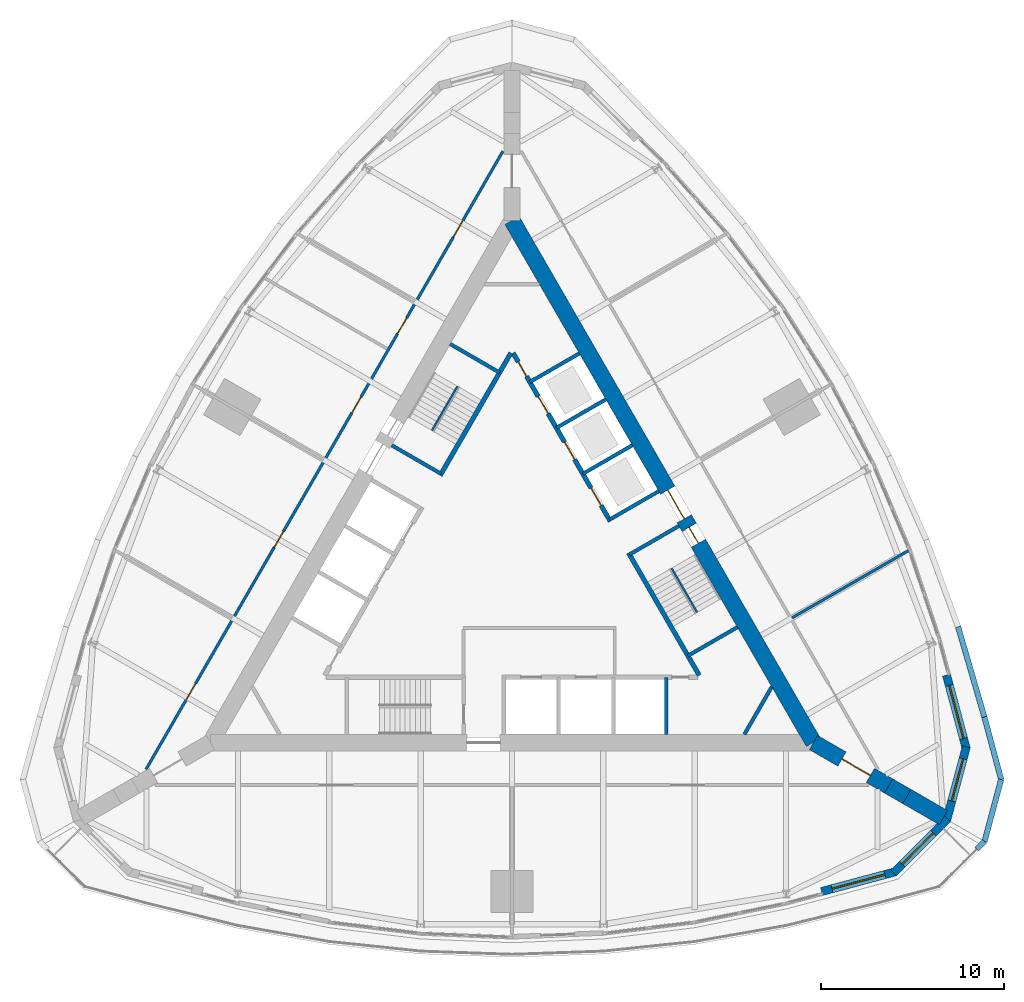
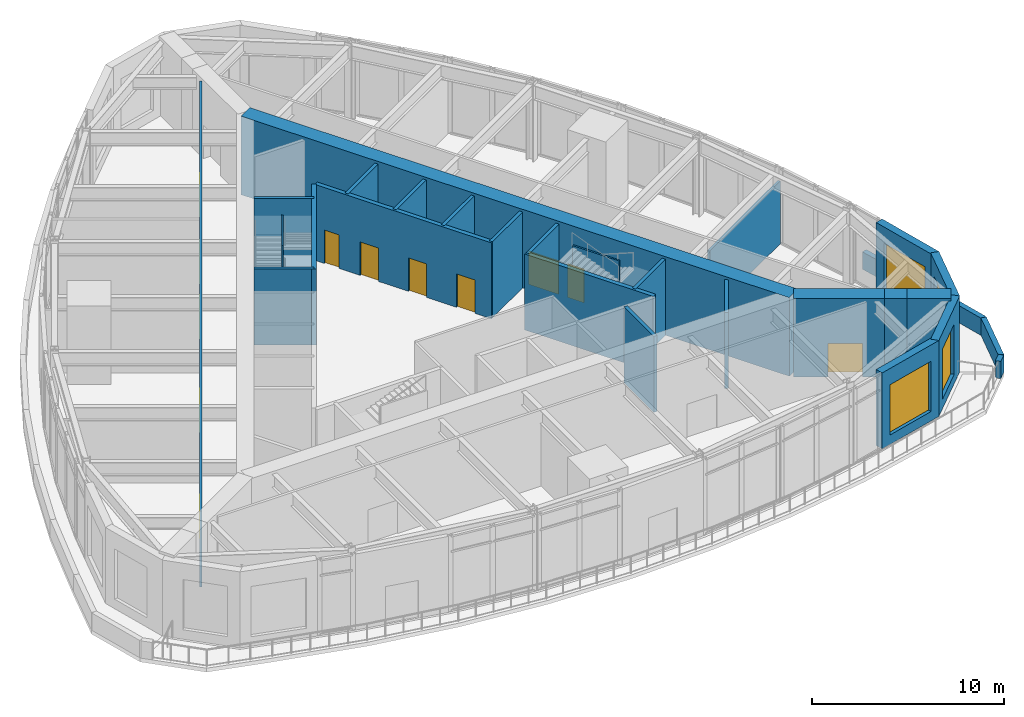
# One storey, part 9 of 13: 29 walls, 12 doors, 4 windows, 16 openings.
"""IFC4 building model written with IfcOpenShell, lengths in metres."""

from ifc_helpers import new_model, si_unit, direction, frame, frame_2d, origin, place, context, subcontext, project, spatial, polyline, rectangle, outline, extrude, material, layer, layer_set, type_object, element, fill, save


model = new_model("IFC4")

# Units and contexts
model_context = context("Model", 3, precision=1e-05, world=origin(), true_north=direction((0.0, 1.0)))
body_context = subcontext(model_context, "Body", "Model", "MODEL_VIEW")
ifc_project = project(units=[si_unit("LENGTHUNIT", "METRE"), si_unit("AREAUNIT", "SQUARE_METRE"), si_unit("VOLUMEUNIT", "CUBIC_METRE"), si_unit("PLANEANGLEUNIT", "RADIAN"), si_unit("MASSUNIT", "GRAM", prefix="KILO")], contexts=[model_context])

# Site, building, storey
site_placement = place(None, origin())
site = spatial("IfcSite", under=ifc_project, at=site_placement, CompositionType="ELEMENT")
building_placement = place(site_placement, origin())
building = spatial("IfcBuilding", under=site, at=building_placement, Name="Trikona Tower", CompositionType="ELEMENT")
storey_placement = place(building_placement, frame((0.0, 0.0, 195.89990234375)))
storey = spatial("IfcBuildingStorey", under=building, at=storey_placement, Name="L52", CompositionType="ELEMENT", Elevation=195.89990234375)

# Wall, opening, window
ifc_material_1 = material(Name="Brick-faced precast concrete", Category="masonry")
ifc_layer_1 = layer(ifc_material_1, 0.449951171875)
ifc_layer_set_1 = layer_set([ifc_layer_1], Name="Brick-faced corner wall 450")
wall_type_1 = type_object("IfcWallType", Name="Brick-faced corner wall 450", PredefinedType="SOLIDWALL", material=ifc_layer_set_1)
wall_1_placement = place(storey_placement, frame((16.94189453125, -17.6806640625, 0.0), z_axis=(0.0, 0.0, 1.0), x_axis=(0.965920442324, 0.258839137498, 0.0)))
wall_1 = element("IfcWall", 1, at=wall_1_placement, inside=storey, type_object=wall_type_1, Name="External wall L52-08", PredefinedType="SOLIDWALL", context=body_context, shape_type="SweptSolid", body=[
    extrude(rectangle(XDim=4.18408203125, YDim=0.449951171875, at=frame_2d((2.092041015625, 0.0))), origin(), (0.0, 0.0, 1.0), 4.835205078125),
])
opening_1_placement = place(wall_1_placement, frame((0.592041015625, 0.0, 0.60009765625)))
opening_1 = element("IfcOpeningElement", 2, at=opening_1_placement, cuts=wall_1, Name="Opening W3032", PredefinedType="OPENING", context=body_context, shape_type="SweptSolid", body=[
    extrude(rectangle(XDim=3.0, YDim=3.199951171875, at=frame_2d((1.5, 1.60009765625))), frame((0.0, 0.23486328125, 0.0), z_axis=(0.0, -1.0, 0.0), x_axis=(1.0, 0.0, 0.0)), (0.0, 0.0, 1.0), 0.469970703125),
])
ifc_material_2 = material(Name="Aluminium-framed double glazing", Category="aluminium")
window_type_1 = type_object("IfcWindowType", Name="Window 3000x3200", PartitioningType="SINGLE_PANEL", PredefinedType="WINDOW", material=ifc_material_2)
window_1_placement = place(opening_1_placement, origin())
window_1 = element("IfcWindow", 3, at=window_1_placement, inside=storey, type_object=window_type_1, Name="Window L52-RLX", OverallHeight=3.199951171875, OverallWidth=3.0, PartitioningType="SINGLE_PANEL", PredefinedType="WINDOW", context=body_context, shape_type="SweptSolid", body=[
    extrude(rectangle(XDim=3.0, YDim=3.199951171875, at=frame_2d((1.5, 1.60009765625))), frame((0.0, 0.030029296875, 0.0), z_axis=(0.0, -1.0, 0.0), x_axis=(1.0, 0.0, 0.0)), (0.0, 0.0, 1.0), 0.06005859375),
])
fill(opening_1, window_1)

wall_2_placement = place(storey_placement, frame((20.88232421875, -16.656005859375, 0.0), z_axis=(0.0, 0.0, 1.0), x_axis=(0.707077605902, 0.707135955267, 0.0)))
wall_2 = element("IfcWall", 4, at=wall_2_placement, inside=storey, type_object=wall_type_1, Name="External wall L52-09", PredefinedType="SOLIDWALL", context=body_context, shape_type="SweptSolid", body=[
    extrude(outline(polyline([(4.18408203125, 0.22509765625), (4.125244140625, 0.22509765625), (3.633056640625, 0.093017578125), (3.59765625, 0.22509765625), (0.0, 0.22509765625), (0.0, -0.22509765625), (4.18408203125, -0.22509765625), (4.18408203125, 0.22509765625)])), origin(), (0.0, 0.0, 1.0), 4.835205078125),
])
opening_2_placement = place(wall_2_placement, frame((0.673828125, 0.0, 0.60009765625)))
opening_2 = element("IfcOpeningElement", 5, at=opening_2_placement, cuts=wall_2, Name="Opening W2432", PredefinedType="OPENING", context=body_context, shape_type="SweptSolid", body=[
    extrude(rectangle(XDim=2.39990234375, YDim=3.199951171875, at=frame_2d((1.199951171875, 1.60009765625))), frame((0.0, 0.23486328125, 0.0), z_axis=(0.0, -1.0, 0.0), x_axis=(1.0, 0.0, 0.0)), (0.0, 0.0, 1.0), 0.469970703125),
])
ifc_material_3 = material(Name="Aluminium-framed double glazing", Category="aluminium")
window_type_2 = type_object("IfcWindowType", Name="Window 2400x3200", PartitioningType="SINGLE_PANEL", PredefinedType="WINDOW", material=ifc_material_3)
window_2_placement = place(opening_2_placement, origin())
window_2 = element("IfcWindow", 6, at=window_2_placement, inside=storey, type_object=window_type_2, Name="Window L52-RLX", OverallHeight=3.199951171875, OverallWidth=2.39990234375, PartitioningType="SINGLE_PANEL", PredefinedType="WINDOW", context=body_context, shape_type="SweptSolid", body=[
    extrude(rectangle(XDim=2.39990234375, YDim=3.199951171875, at=frame_2d((1.199951171875, 1.60009765625))), frame((0.0, 0.030029296875, 0.0), z_axis=(0.0, -1.0, 0.0), x_axis=(1.0, 0.0, 0.0)), (0.0, 0.0, 1.0), 0.06005859375),
])
fill(opening_2, window_2)

wall_3_placement = place(storey_placement, frame((23.78271484375, -13.798095703125, 0.0), z_axis=(0.0, 0.0, 1.0), x_axis=(0.258799282522, 0.96593112144, 0.0)))
wall_3 = element("IfcWall", 7, at=wall_3_placement, inside=storey, type_object=wall_type_1, Name="External wall L52-10", PredefinedType="SOLIDWALL", context=body_context, shape_type="SweptSolid", body=[
    extrude(outline(polyline([(4.183837890625, 0.22509765625), (0.58642578125, 0.22509765625), (0.551025390625, 0.09326171875), (0.059326171875, 0.22509765625), (0.0, 0.22509765625), (0.0, -0.22509765625), (4.183837890625, -0.22509765625), (4.183837890625, 0.22509765625)])), origin(), (0.0, 0.0, 1.0), 4.835205078125),
])
opening_3_placement = place(wall_3_placement, frame((1.110107421875, 0.0, 0.60009765625)))
opening_3 = element("IfcOpeningElement", 8, at=opening_3_placement, cuts=wall_3, Name="Opening W2432", PredefinedType="OPENING", context=body_context, shape_type="SweptSolid", body=[
    extrude(rectangle(XDim=2.39990234375, YDim=3.199951171875, at=frame_2d((1.199951171875, 1.60009765625))), frame((0.0, 0.23486328125, 0.0), z_axis=(0.0, -1.0, 0.0), x_axis=(1.0, 0.0, 0.0)), (0.0, 0.0, 1.0), 0.469970703125),
])
window_3_placement = place(opening_3_placement, origin())
window_3 = element("IfcWindow", 9, at=window_3_placement, inside=storey, type_object=window_type_2, Name="Window L52-TR1", OverallHeight=3.199951171875, OverallWidth=2.39990234375, PartitioningType="SINGLE_PANEL", PredefinedType="WINDOW", context=body_context, shape_type="SweptSolid", body=[
    extrude(rectangle(XDim=2.39990234375, YDim=3.199951171875, at=frame_2d((1.199951171875, 1.60009765625))), frame((0.0, 0.030029296875, 0.0), z_axis=(0.0, -1.0, 0.0), x_axis=(1.0, 0.0, 0.0)), (0.0, 0.0, 1.0), 0.06005859375),
])
fill(opening_3, window_3)

wall_4_placement = place(storey_placement, frame((24.865478515625, -9.873291015625, 0.0), z_axis=(0.0, 0.0, 1.0), x_axis=(-0.258784695888, 0.965935029479, 0.0)))
wall_4 = element("IfcWall", 10, at=wall_4_placement, inside=storey, type_object=wall_type_1, Name="External wall L52-11", PredefinedType="SOLIDWALL", context=body_context, shape_type="SweptSolid", body=[
    extrude(rectangle(XDim=4.18408203125, YDim=0.449951171875, at=frame_2d((2.092041015625, 0.0))), origin(), (0.0, 0.0, 1.0), 4.835205078125),
])
opening_4_placement = place(wall_4_placement, frame((0.592041015625, 0.0, 0.60009765625)))
opening_4 = element("IfcOpeningElement", 11, at=opening_4_placement, cuts=wall_4, Name="Opening W3032", PredefinedType="OPENING", context=body_context, shape_type="SweptSolid", body=[
    extrude(rectangle(XDim=3.0, YDim=3.199951171875, at=frame_2d((1.5, 1.60009765625))), frame((0.0, 0.23486328125, 0.0), z_axis=(0.0, -1.0, 0.0), x_axis=(1.0, 0.0, 0.0)), (0.0, 0.0, 1.0), 0.469970703125),
])
window_4_placement = place(opening_4_placement, origin())
window_4 = element("IfcWindow", 12, at=window_4_placement, inside=storey, type_object=window_type_1, Name="Window L52-TR1", OverallHeight=3.199951171875, OverallWidth=3.0, PartitioningType="SINGLE_PANEL", PredefinedType="WINDOW", context=body_context, shape_type="SweptSolid", body=[
    extrude(rectangle(XDim=3.0, YDim=3.199951171875, at=frame_2d((1.5, 1.60009765625))), frame((0.0, 0.030029296875, 0.0), z_axis=(0.0, -1.0, 0.0), x_axis=(1.0, 0.0, 0.0)), (0.0, 0.0, 1.0), 0.06005859375),
])
fill(opening_4, window_4)

# Wall, opening, door
ifc_material_4 = material(Name="Concrete f'c 10000 psi", Category="concrete")
ifc_layer_2 = layer(ifc_material_4, 0.89990234375)
ifc_layer_set_2 = layer_set([ifc_layer_2], Name="Buttress wall 900")
wall_type_2 = type_object("IfcWallType", Name="Buttress wall 900", PredefinedType="SHEAR", material=ifc_layer_set_2)
wall_5_placement = place(storey_placement, frame((16.5, -9.5263671875, 0.0), z_axis=(0.0, 0.0, 1.0), x_axis=(0.866031398331, -0.499989616998, 0.0)))
wall_5 = element("IfcWall", 13, at=wall_5_placement, inside=storey, type_object=wall_type_2, Name="Buttress wall 1", PredefinedType="SHEAR", context=body_context, shape_type="SweptSolid", body=[
    extrude(rectangle(XDim=4.74609375, YDim=0.89990234375, at=frame_2d((2.373046875, 0.0))), origin(), (0.0, 0.0, 1.0), 5.0),
])
opening_5_placement = place(wall_5_placement, frame((1.800048828125, 0.0, 0.0)))
opening_5 = element("IfcOpeningElement", 14, at=opening_5_placement, cuts=wall_5, Name="Opening D10", PredefinedType="OPENING", context=body_context, shape_type="SweptSolid", body=[
    extrude(rectangle(XDim=1.800048828125, YDim=2.1298828125, at=frame_2d((0.89990234375, 1.06494140625))), frame((0.0, 0.4599609375, 0.0), z_axis=(0.0, -1.0, 0.0), x_axis=(1.0, 0.0, 0.0)), (0.0, 0.0, 1.0), 0.919921875),
])
ifc_material_5 = material(Name="Hollow metal door and frame", Category="steel")
door_type_1 = type_object("IfcDoorType", Name="Cross-corridor door pair 1800x2130", OperationType="DOUBLE_DOOR_DOUBLE_SWING", PredefinedType="DOOR", material=ifc_material_5)
door_1_placement = place(opening_5_placement, origin())
door_1 = element("IfcDoor", 15, at=door_1_placement, inside=storey, type_object=door_type_1, Name="Cross-corridor door 1", OperationType="DOUBLE_DOOR_DOUBLE_SWING", OverallHeight=2.1298828125, OverallWidth=1.800048828125, PredefinedType="DOOR", context=body_context, shape_type="SweptSolid", body=[
    extrude(rectangle(XDim=1.800048828125, YDim=2.1298828125, at=frame_2d((0.89990234375, 1.06494140625))), frame((0.0, 0.02490234375, 0.0), z_axis=(0.0, -1.0, 0.0), x_axis=(1.0, 0.0, 0.0)), (0.0, 0.0, 1.0), 0.050048828125),
])
fill(opening_5, door_1)

# Walls
wall_6_placement = place(storey_placement, frame((20.6103515625, -11.8994140625, 0.0), z_axis=(0.0, 0.0, 1.0), x_axis=(0.866009537788, -0.500027479704, 0.0)))
element("IfcWall", 16, at=wall_6_placement, inside=storey, type_object=wall_type_2, Name="Buttress wall 1 part 2", PredefinedType="SHEAR", context=body_context, shape_type="SweptSolid", body=[
    extrude(rectangle(XDim=1.15478515625, YDim=0.89990234375, at=frame_2d((0.577392578125, 0.0))), origin(), (0.0, 0.0, 1.0), 5.0),
])
wall_7_placement = place(storey_placement, frame((21.6103515625, -12.476806640625, 0.0), z_axis=(0.0, 0.0, 1.0), x_axis=(0.866055313784, -0.499948190782, 0.0)))
element("IfcWall", 17, at=wall_7_placement, inside=storey, type_object=wall_type_2, Name="Buttress wall 1 part 3", PredefinedType="SHEAR", context=body_context, shape_type="SweptSolid", body=[
    extrude(rectangle(XDim=2.309326171875, YDim=0.89990234375, at=frame_2d((1.15478515625, 0.0))), origin(), (0.0, 0.0, 1.0), 5.0),
])

# Wall, openings, doors
ifc_material_6 = material(Name="Concrete f'c 10000 psi", Category="concrete")
ifc_layer_3 = layer(ifc_material_6, 0.89990234375)
ifc_layer_set_3 = layer_set([ifc_layer_3], Name="Core wall 900")
wall_type_3 = type_object("IfcWallType", Name="Core wall 900", PredefinedType="SHEAR", material=ifc_layer_set_3)
wall_8_placement = place(storey_placement, frame((16.5, -9.5263671875, 0.0), z_axis=(0.0, 0.0, 1.0), x_axis=(-0.499999749417, 0.866025548458, 0.0)))
wall_8 = element("IfcWall", 18, at=wall_8_placement, inside=storey, type_object=wall_type_3, Name="Core wall B", PredefinedType="SHEAR", context=body_context, shape_type="SweptSolid", body=[
    extrude(rectangle(XDim=33.0, YDim=0.89990234375, at=frame_2d((16.5, 0.0))), origin(), (0.0, 0.0, 1.0), 5.0),
])
opening_6_placement = place(wall_8_placement, frame((14.14990234375, 0.0, 0.0)))
opening_6 = element("IfcOpeningElement", 19, at=opening_6_placement, cuts=wall_8, Name="Opening D6", PredefinedType="OPENING", context=body_context, shape_type="SweptSolid", body=[
    extrude(rectangle(XDim=1.800048828125, YDim=2.1298828125, at=frame_2d((0.89990234375, 1.06494140625))), frame((0.0, 0.4599609375, 0.0), z_axis=(0.0, -1.0, 0.0), x_axis=(1.0, 0.0, 0.0)), (0.0, 0.0, 1.0), 0.919921875),
])
opening_7_placement = place(wall_8_placement, frame((12.60009765625, 0.0, 0.0)))
opening_7 = element("IfcOpeningElement", 20, at=opening_7_placement, cuts=wall_8, Name="Opening D5", PredefinedType="OPENING", context=body_context, shape_type="SweptSolid", body=[
    extrude(rectangle(XDim=1.0, YDim=2.1298828125, at=frame_2d((0.5, 1.06494140625))), frame((0.0, 0.4599609375, 0.0), z_axis=(0.0, -1.0, 0.0), x_axis=(1.0, 0.0, 0.0)), (0.0, 0.0, 1.0), 0.919921875),
])
ifc_material_7 = material(Name="Hollow metal door and frame", Category="steel")
door_type_2 = type_object("IfcDoorType", Name="Lobby door pair 1800x2130", OperationType="DOUBLE_DOOR_SINGLE_SWING", PredefinedType="DOOR", material=ifc_material_7)
door_2_placement = place(opening_6_placement, origin())
door_2 = element("IfcDoor", 21, at=door_2_placement, inside=storey, type_object=door_type_2, Name="Lift lobby door B", OperationType="DOUBLE_DOOR_SINGLE_SWING", OverallHeight=2.1298828125, OverallWidth=1.800048828125, PredefinedType="DOOR", context=body_context, shape_type="SweptSolid", body=[
    extrude(rectangle(XDim=1.800048828125, YDim=2.1298828125, at=frame_2d((0.89990234375, 1.06494140625))), frame((0.0, 0.02490234375, 0.0), z_axis=(0.0, -1.0, 0.0), x_axis=(1.0, 0.0, 0.0)), (0.0, 0.0, 1.0), 0.050048828125),
])
fill(opening_6, door_2)
ifc_material_8 = material(Name="Hollow metal door and frame", Category="steel")
door_type_3 = type_object("IfcDoorType", Name="Stair door 1000x2130", OperationType="SINGLE_SWING_LEFT", PredefinedType="DOOR", material=ifc_material_8)
door_3_placement = place(opening_7_placement, origin())
door_3 = element("IfcDoor", 22, at=door_3_placement, inside=storey, type_object=door_type_3, Name="Stair B door", OperationType="SINGLE_SWING_RIGHT", OverallHeight=2.1298828125, OverallWidth=1.0, PredefinedType="DOOR", context=body_context, shape_type="SweptSolid", body=[
    extrude(rectangle(XDim=1.0, YDim=2.1298828125, at=frame_2d((0.5, 1.06494140625))), frame((0.0, 0.02490234375, 0.0), z_axis=(0.0, -1.0, 0.0), x_axis=(1.0, 0.0, 0.0)), (0.0, 0.0, 1.0), 0.050048828125),
])
fill(opening_7, door_3)

ifc_material_9 = material(Name="Metal stud and gypsum board, 1-hour", Category="gypsum")
ifc_layer_4 = layer(ifc_material_9, 0.14990234375)
ifc_layer_set_4 = layer_set([ifc_layer_4], Name="Corridor wall 150")
wall_type_4 = type_object("IfcWallType", Name="Corridor wall 150", PredefinedType="PARTITIONING", material=ifc_layer_set_4)
wall_9_placement = place(storey_placement, frame((-0.5, 22.83642578125, 0.0), z_axis=(0.0, 0.0, 1.0), x_axis=(-0.500001677587, -0.866024435227, 0.0)))
wall_9 = element("IfcWall", 23, at=wall_9_placement, inside=storey, type_object=wall_type_4, Name="Corridor wall L52-3", PredefinedType="PARTITIONING", context=body_context, shape_type="SweptSolid", body=[
    extrude(rectangle(XDim=39.053955078125, YDim=0.14990234375, at=frame_2d((19.52685546875, 0.0))), origin(), (0.0, 0.0, 1.0), 4.835205078125),
])
opening_8_placement = place(wall_9_placement, frame((4.41357421875, 0.0, 0.0)))
opening_8 = element("IfcOpeningElement", 24, at=opening_8_placement, cuts=wall_9, Name="Opening D3", PredefinedType="OPENING", context=body_context, shape_type="SweptSolid", body=[
    extrude(rectangle(XDim=1.0, YDim=2.1298828125, at=frame_2d((0.5, 1.06494140625))), frame((0.0, 0.0849609375, 0.0), z_axis=(0.0, -1.0, 0.0), x_axis=(1.0, 0.0, 0.0)), (0.0, 0.0, 1.0), 0.169921875),
])
opening_9_placement = place(wall_9_placement, frame((10.527099609375, 0.0, 0.0)))
opening_9 = element("IfcOpeningElement", 25, at=opening_9_placement, cuts=wall_9, Name="Opening D3", PredefinedType="OPENING", context=body_context, shape_type="SweptSolid", body=[
    extrude(rectangle(XDim=1.0, YDim=2.1298828125, at=frame_2d((0.5, 1.06494140625))), frame((0.0, 0.0849609375, 0.0), z_axis=(0.0, -1.0, 0.0), x_axis=(1.0, 0.0, 0.0)), (0.0, 0.0, 1.0), 0.169921875),
])
opening_10_placement = place(wall_9_placement, frame((15.527099609375, 0.0, 0.0)))
opening_10 = element("IfcOpeningElement", 26, at=opening_10_placement, cuts=wall_9, Name="Opening D3", PredefinedType="OPENING", context=body_context, shape_type="SweptSolid", body=[
    extrude(rectangle(XDim=1.0, YDim=2.1298828125, at=frame_2d((0.5, 1.06494140625))), frame((0.0, 0.0849609375, 0.0), z_axis=(0.0, -1.0, 0.0), x_axis=(1.0, 0.0, 0.0)), (0.0, 0.0, 1.0), 0.169921875),
])
opening_11_placement = place(wall_9_placement, frame((24.027099609375, 0.0, 0.0)))
opening_11 = element("IfcOpeningElement", 27, at=opening_11_placement, cuts=wall_9, Name="Opening D3", PredefinedType="OPENING", context=body_context, shape_type="SweptSolid", body=[
    extrude(rectangle(XDim=1.0, YDim=2.1298828125, at=frame_2d((0.5, 1.06494140625))), frame((0.0, 0.0849609375, 0.0), z_axis=(0.0, -1.0, 0.0), x_axis=(1.0, 0.0, 0.0)), (0.0, 0.0, 1.0), 0.169921875),
])
opening_12_placement = place(wall_9_placement, frame((33.640380859375, 0.0, 0.0)))
opening_12 = element("IfcOpeningElement", 28, at=opening_12_placement, cuts=wall_9, Name="Opening D3", PredefinedType="OPENING", context=body_context, shape_type="SweptSolid", body=[
    extrude(rectangle(XDim=1.0, YDim=2.1298828125, at=frame_2d((0.5, 1.06494140625))), frame((0.0, 0.0849609375, 0.0), z_axis=(0.0, -1.0, 0.0), x_axis=(1.0, 0.0, 0.0)), (0.0, 0.0, 1.0), 0.169921875),
])
ifc_material_10 = material(Name="Steel door frame with solid-core timber leaf", Category="steel")
door_type_4 = type_object("IfcDoorType", Name="Room door 1000x2130", OperationType="SINGLE_SWING_LEFT", PredefinedType="DOOR", material=ifc_material_10)
door_4_placement = place(opening_8_placement, origin())
door_4 = element("IfcDoor", 29, at=door_4_placement, inside=storey, type_object=door_type_4, Name="Door Treatment room 3", OperationType="SINGLE_SWING_LEFT", OverallHeight=2.1298828125, OverallWidth=1.0, PredefinedType="DOOR", context=body_context, shape_type="SweptSolid", body=[
    extrude(rectangle(XDim=1.0, YDim=2.1298828125, at=frame_2d((0.5, 1.06494140625))), frame((0.0, 0.02490234375, 0.0), z_axis=(0.0, -1.0, 0.0), x_axis=(1.0, 0.0, 0.0)), (0.0, 0.0, 1.0), 0.050048828125),
])
fill(opening_8, door_4)
door_5_placement = place(opening_9_placement, origin())
door_5 = element("IfcDoor", 30, at=door_5_placement, inside=storey, type_object=door_type_4, Name="Door Accessible WC and shower", OperationType="SINGLE_SWING_RIGHT", OverallHeight=2.1298828125, OverallWidth=1.0, PredefinedType="DOOR", context=body_context, shape_type="SweptSolid", body=[
    extrude(rectangle(XDim=1.0, YDim=2.1298828125, at=frame_2d((0.5, 1.06494140625))), frame((0.0, 0.02490234375, 0.0), z_axis=(0.0, -1.0, 0.0), x_axis=(1.0, 0.0, 0.0)), (0.0, 0.0, 1.0), 0.050048828125),
])
fill(opening_9, door_5)
door_6_placement = place(opening_10_placement, origin())
door_6 = element("IfcDoor", 31, at=door_6_placement, inside=storey, type_object=door_type_4, Name="Door Treatment room 5", OperationType="SINGLE_SWING_LEFT", OverallHeight=2.1298828125, OverallWidth=1.0, PredefinedType="DOOR", context=body_context, shape_type="SweptSolid", body=[
    extrude(rectangle(XDim=1.0, YDim=2.1298828125, at=frame_2d((0.5, 1.06494140625))), frame((0.0, 0.02490234375, 0.0), z_axis=(0.0, -1.0, 0.0), x_axis=(1.0, 0.0, 0.0)), (0.0, 0.0, 1.0), 0.050048828125),
])
fill(opening_10, door_6)
door_7_placement = place(opening_11_placement, origin())
door_7 = element("IfcDoor", 32, at=door_7_placement, inside=storey, type_object=door_type_4, Name="Door Housekeeping", OperationType="SINGLE_SWING_RIGHT", OverallHeight=2.1298828125, OverallWidth=1.0, PredefinedType="DOOR", context=body_context, shape_type="SweptSolid", body=[
    extrude(rectangle(XDim=1.0, YDim=2.1298828125, at=frame_2d((0.5, 1.06494140625))), frame((0.0, 0.02490234375, 0.0), z_axis=(0.0, -1.0, 0.0), x_axis=(1.0, 0.0, 0.0)), (0.0, 0.0, 1.0), 0.050048828125),
])
fill(opening_11, door_7)
door_8_placement = place(opening_12_placement, origin())
door_8 = element("IfcDoor", 33, at=door_8_placement, inside=storey, type_object=door_type_4, Name="Door Treatment room 4", OperationType="SINGLE_SWING_RIGHT", OverallHeight=2.1298828125, OverallWidth=1.0, PredefinedType="DOOR", context=body_context, shape_type="SweptSolid", body=[
    extrude(rectangle(XDim=1.0, YDim=2.1298828125, at=frame_2d((0.5, 1.06494140625))), frame((0.0, 0.02490234375, 0.0), z_axis=(0.0, -1.0, 0.0), x_axis=(1.0, 0.0, 0.0)), (0.0, 0.0, 1.0), 0.050048828125),
])
fill(opening_12, door_8)

# Wall
ifc_material_11 = material(Name="Concrete f'c 8000 psi", Category="concrete")
ifc_layer_5 = layer(ifc_material_11, 0.25)
ifc_layer_set_5 = layer_set([ifc_layer_5], Name="Hub wall 250")
wall_type_5 = type_object("IfcWallType", Name="Hub wall 250", PredefinedType="SOLIDWALL", material=ifc_layer_set_5)
wall_10_placement = place(storey_placement, frame((10.245361328125, -5.843017578125, 0.0), z_axis=(0.0, 0.0, 1.0), x_axis=(-0.499993009313, 0.866029439822, 0.0)))
element("IfcWall", 34, at=wall_10_placement, inside=storey, type_object=wall_type_5, Name="Lift lobby wall B1", PredefinedType="SOLIDWALL", context=body_context, shape_type="SweptSolid", body=[
    extrude(rectangle(XDim=7.73291015625, YDim=0.25, at=frame_2d((3.866455078125, 0.0))), origin(), (0.0, 0.0, 1.0), 4.835205078125),
])

# Wall, openings, doors
wall_11_placement = place(storey_placement, frame((5.37890625, 2.5859375, 0.0), z_axis=(0.0, 0.0, 1.0), x_axis=(-0.500001375892, 0.866024609411, 0.0)))
wall_11 = element("IfcWall", 35, at=wall_11_placement, inside=storey, type_object=wall_type_5, Name="Lift lobby wall B2", PredefinedType="SOLIDWALL", context=body_context, shape_type="SweptSolid", body=[
    extrude(rectangle(XDim=10.6328125, YDim=0.25, at=frame_2d((5.31640625, 0.0))), origin(), (0.0, 0.0, 1.0), 4.835205078125),
])
opening_13_placement = place(wall_11_placement, frame((9.1640625, 0.0, 0.0)))
opening_13 = element("IfcOpeningElement", 36, at=opening_13_placement, cuts=wall_11, Name="Opening D14", PredefinedType="OPENING", context=body_context, shape_type="SweptSolid", body=[
    extrude(rectangle(XDim=0.89990234375, YDim=2.1298828125, at=frame_2d((0.449951171875, 1.06494140625))), frame((0.0, 0.135009765625, 0.0), z_axis=(0.0, -1.0, 0.0), x_axis=(1.0, 0.0, 0.0)), (0.0, 0.0, 1.0), 0.27001953125),
])
opening_14_placement = place(wall_11_placement, frame((1.0, 0.0, 0.0)))
opening_14 = element("IfcOpeningElement", 37, at=opening_14_placement, cuts=wall_11, Name="Opening LD", PredefinedType="OPENING", context=body_context, shape_type="SweptSolid", body=[
    extrude(rectangle(XDim=1.10009765625, YDim=2.1298828125, at=frame_2d((0.550048828125, 1.06494140625))), frame((0.0, 0.135009765625, 0.0), z_axis=(0.0, -1.0, 0.0), x_axis=(1.0, 0.0, 0.0)), (0.0, 0.0, 1.0), 0.27001953125),
])
opening_15_placement = place(wall_11_placement, frame((3.89990234375, 0.0, 0.0)))
opening_15 = element("IfcOpeningElement", 38, at=opening_15_placement, cuts=wall_11, Name="Opening LD", PredefinedType="OPENING", context=body_context, shape_type="SweptSolid", body=[
    extrude(rectangle(XDim=1.10009765625, YDim=2.1298828125, at=frame_2d((0.550048828125, 1.06494140625))), frame((0.0, 0.135009765625, 0.0), z_axis=(0.0, -1.0, 0.0), x_axis=(1.0, 0.0, 0.0)), (0.0, 0.0, 1.0), 0.27001953125),
])
opening_16_placement = place(wall_11_placement, frame((6.800048828125, 0.0, 0.0)))
opening_16 = element("IfcOpeningElement", 39, at=opening_16_placement, cuts=wall_11, Name="Opening LD", PredefinedType="OPENING", context=body_context, shape_type="SweptSolid", body=[
    extrude(rectangle(XDim=1.10009765625, YDim=2.1298828125, at=frame_2d((0.550048828125, 1.06494140625))), frame((0.0, 0.135009765625, 0.0), z_axis=(0.0, -1.0, 0.0), x_axis=(1.0, 0.0, 0.0)), (0.0, 0.0, 1.0), 0.27001953125),
])
ifc_material_12 = material(Name="Stainless steel lift landing door", Category="steel")
door_type_5 = type_object("IfcDoorType", Name="Lift landing door 1100x2130", OperationType="DOUBLE_DOOR_SLIDING", PredefinedType="USERDEFINED", material=ifc_material_12)
door_9_placement = place(opening_14_placement, origin())
door_9 = element("IfcDoor", 40, at=door_9_placement, inside=storey, type_object=door_type_5, Name="Lift landing door L3-1", ObjectType="LIFT LANDING DOOR", OperationType="DOUBLE_DOOR_SLIDING", OverallHeight=2.1298828125, OverallWidth=1.10009765625, PredefinedType="USERDEFINED", context=body_context, shape_type="SweptSolid", body=[
    extrude(rectangle(XDim=1.10009765625, YDim=2.1298828125, at=frame_2d((0.550048828125, 1.06494140625))), frame((0.0, 0.02490234375, 0.0), z_axis=(0.0, -1.0, 0.0), x_axis=(1.0, 0.0, 0.0)), (0.0, 0.0, 1.0), 0.050048828125),
])
fill(opening_14, door_9)
door_10_placement = place(opening_15_placement, origin())
door_10 = element("IfcDoor", 41, at=door_10_placement, inside=storey, type_object=door_type_5, Name="Lift landing door L3-2", ObjectType="LIFT LANDING DOOR", OperationType="DOUBLE_DOOR_SLIDING", OverallHeight=2.1298828125, OverallWidth=1.10009765625, PredefinedType="USERDEFINED", context=body_context, shape_type="SweptSolid", body=[
    extrude(rectangle(XDim=1.10009765625, YDim=2.1298828125, at=frame_2d((0.550048828125, 1.06494140625))), frame((0.0, 0.02490234375, 0.0), z_axis=(0.0, -1.0, 0.0), x_axis=(1.0, 0.0, 0.0)), (0.0, 0.0, 1.0), 0.050048828125),
])
fill(opening_15, door_10)
door_11_placement = place(opening_16_placement, origin())
door_11 = element("IfcDoor", 42, at=door_11_placement, inside=storey, type_object=door_type_5, Name="Lift landing door L3-3", ObjectType="LIFT LANDING DOOR", OperationType="DOUBLE_DOOR_SLIDING", OverallHeight=2.1298828125, OverallWidth=1.10009765625, PredefinedType="USERDEFINED", context=body_context, shape_type="SweptSolid", body=[
    extrude(rectangle(XDim=1.10009765625, YDim=2.1298828125, at=frame_2d((0.550048828125, 1.06494140625))), frame((0.0, 0.02490234375, 0.0), z_axis=(0.0, -1.0, 0.0), x_axis=(1.0, 0.0, 0.0)), (0.0, 0.0, 1.0), 0.050048828125),
])
fill(opening_16, door_11)
ifc_material_13 = material(Name="Hollow metal door and frame", Category="steel")
door_type_6 = type_object("IfcDoorType", Name="Service room door 900x2130", OperationType="SINGLE_SWING_LEFT", PredefinedType="DOOR", material=ifc_material_13)
door_12_placement = place(opening_13_placement, origin())
door_12 = element("IfcDoor", 43, at=door_12_placement, inside=storey, type_object=door_type_6, Name="Door Store STR", OperationType="SINGLE_SWING_RIGHT", OverallHeight=2.1298828125, OverallWidth=0.89990234375, PredefinedType="DOOR", context=body_context, shape_type="SweptSolid", body=[
    extrude(rectangle(XDim=0.89990234375, YDim=2.1298828125, at=frame_2d((0.449951171875, 1.06494140625))), frame((0.0, 0.02490234375, 0.0), z_axis=(0.0, -1.0, 0.0), x_axis=(1.0, 0.0, 0.0)), (0.0, 0.0, 1.0), 0.050048828125),
])
fill(opening_13, door_12)

# Walls
wall_12_placement = place(storey_placement, frame((-0.0625, 11.794189453125, 0.0), z_axis=(0.0, 0.0, 1.0), x_axis=(-0.500006680225, -0.86602154692, 0.0)))
element("IfcWall", 44, at=wall_12_placement, inside=storey, type_object=wall_type_5, Name="Lift lobby wall C1", PredefinedType="SOLIDWALL", context=body_context, shape_type="SweptSolid", body=[
    extrude(rectangle(XDim=7.73291015625, YDim=0.25, at=frame_2d((3.866455078125, 0.0))), origin(), (0.0, 0.0, 1.0), 4.835205078125),
])
ifc_material_14 = material(Name="Brick-faced precast concrete", Category="masonry")
ifc_layer_6 = layer(ifc_material_14, 0.300048828125)
ifc_layer_set_6 = layer_set([ifc_layer_6], Name="Parapet wall 300")
wall_type_6 = type_object("IfcWallType", Name="Parapet wall 300", PredefinedType="PARAPET", material=ifc_layer_set_6)
wall_13_placement = place(storey_placement, frame((24.418212890625, -3.18701171875, 0.0), z_axis=(0.0, 0.0, 1.0), x_axis=(0.279553216384, -0.960130199093, 0.0)))
element("IfcWall", 45, at=wall_13_placement, inside=storey, type_object=wall_type_6, Name="Green roof parapet L52-1-22", PredefinedType="PARAPET", context=body_context, shape_type="SweptSolid", body=[
    extrude(rectangle(XDim=5.141357421875, YDim=0.300048828125, at=frame_2d((2.57080078125, 0.0))), origin(), (0.0, 0.0, 1.0), 1.10009765625),
])
wall_14_placement = place(storey_placement, frame((25.85546875, -8.123291015625, 0.0), z_axis=(0.0, 0.0, 1.0), x_axis=(0.258837072303, -0.965920995735, 0.0)))
element("IfcWall", 46, at=wall_14_placement, inside=storey, type_object=wall_type_6, Name="Green roof parapet L52-1-23", PredefinedType="PARAPET", context=body_context, shape_type="SweptSolid", body=[
    extrude(rectangle(XDim=3.544677734375, YDim=0.300048828125, at=frame_2d((1.7724609375, 0.0))), origin(), (0.0, 0.0, 1.0), 1.10009765625),
])
wall_15_placement = place(storey_placement, frame((26.77294921875, -11.547119140625, 0.0), z_axis=(0.0, 0.0, 1.0), x_axis=(-0.258837025974, -0.96592100815, 0.0)))
element("IfcWall", 47, at=wall_15_placement, inside=storey, type_object=wall_type_6, Name="Green roof parapet L52-1-24", PredefinedType="PARAPET", context=body_context, shape_type="SweptSolid", body=[
    extrude(rectangle(XDim=3.505859375, YDim=0.300048828125, at=frame_2d((1.7529296875, 0.0))), origin(), (0.0, 0.0, 1.0), 1.10009765625),
])
wall_16_placement = place(storey_placement, frame((25.865478515625, -14.93359375, 0.0), z_axis=(0.0, 0.0, 1.0), x_axis=(-0.707106781187, -0.707106781187, 0.0)))
element("IfcWall", 48, at=wall_16_placement, inside=storey, type_object=wall_type_6, Name="Green roof parapet L52-1-25", PredefinedType="PARAPET", context=body_context, shape_type="SweptSolid", body=[
    extrude(rectangle(XDim=0.599609375, YDim=0.300048828125, at=frame_2d((0.2998046875, 0.0))), origin(), (0.0, 0.0, 1.0), 1.10009765625),
])
ifc_material_15 = material(Name="Metal stud and gypsum board, 1-hour acoustic", Category="gypsum")
ifc_layer_7 = layer(ifc_material_15, 0.14990234375)
ifc_layer_set_7 = layer_set([ifc_layer_7], Name="Party wall 150")
wall_type_7 = type_object("IfcWallType", Name="Party wall 150", PredefinedType="PARTITIONING", material=ifc_layer_set_7)
wall_17_placement = place(storey_placement, frame((15.32861328125, -2.697021484375, 0.0), z_axis=(0.0, 0.0, 1.0), x_axis=(0.866032463813, 0.499987771473, 0.0)))
element("IfcWall", 49, at=wall_17_placement, inside=storey, type_object=wall_type_7, Name="Partition L52 F2 u-10", PredefinedType="PARTITIONING", context=body_context, shape_type="SweptSolid", body=[
    extrude(rectangle(XDim=7.354736328125, YDim=0.14990234375, at=frame_2d((3.67724609375, 0.0))), origin(), (0.0, 0.0, 1.0), 3.9892578125),
])
ifc_material_16 = material(Name="Concrete f'c 8000 psi", Category="concrete")
ifc_layer_8 = layer(ifc_material_16, 0.199951171875)
ifc_layer_set_8 = layer_set([ifc_layer_8], Name="Shaft wall 200")
wall_type_8 = type_object("IfcWallType", Name="Shaft wall 200", PredefinedType="SOLIDWALL", material=ifc_layer_set_8)
for number, where, z_axis, x_axis, name in (
    (50, (8.449951171875, -5.951416015625, 0.0), (0.0, 0.0, 1.0), (0.0, -1.0, 0.0), "Shaft wall A6"),
    (51, (5.3291015625, 2.672607421875, 0.0), (0.0, 0.0, 1.0), (0.866022959057, 0.500004234368, 0.0), "Shaft wall B3"),
    (52, (3.87890625, 5.18408203125, 0.0), (0.0, 0.0, 1.0), (0.866022959057, 0.500004234368, 0.0), "Shaft wall B4"),
    (53, (2.428955078125, 7.695556640625, 0.0), (0.0, 0.0, 1.0), (0.866022959057, 0.500004234368, 0.0), "Shaft wall B5"),
    (54, (0.97900390625, 10.20703125, 0.0), (0.0, 0.0, 1.0), (0.866022959057, 0.500004234368, 0.0), "Shaft wall B6"),
):
    element("IfcWall", number, at=place(storey_placement, frame(where, z_axis=z_axis, x_axis=x_axis)), inside=storey, type_object=wall_type_8, Name=name, PredefinedType="SOLIDWALL", context=body_context, shape_type="SweptSolid", body=[
        extrude(rectangle(XDim=3.125, YDim=0.199951171875, at=frame_2d((1.5625, 0.0))), origin(), (0.0, 0.0, 1.0), 4.835205078125),
    ])
wall_18_placement = place(storey_placement, frame((14.219482421875, -6.476318359375, 0.0), z_axis=(0.0, 0.0, 1.0), x_axis=(-0.499952404951, -0.866052881055, 0.0)))
element("IfcWall", 55, at=wall_18_placement, inside=storey, type_object=wall_type_8, Name="Riser wall L52-RS1", PredefinedType="SOLIDWALL", context=body_context, shape_type="SweptSolid", body=[
    extrude(rectangle(XDim=3.002197265625, YDim=0.199951171875, at=frame_2d((1.5009765625, 0.0))), origin(), (0.0, 0.0, 1.0), 4.835205078125),
])
ifc_material_17 = material(Name="Concrete f'c 8000 psi", Category="concrete")
ifc_layer_9 = layer(ifc_material_17, 0.199951171875)
ifc_layer_set_9 = layer_set([ifc_layer_9], Name="Shaft wall 200 load-bearing")
wall_type_9 = type_object("IfcWallType", Name="Shaft wall 200 load-bearing", PredefinedType="SOLIDWALL", material=ifc_layer_set_9)
for number, where, z_axis, x_axis, name in (
    (56, (9.62890625, -4.775390625, 0.0), (0.0, 0.0, 1.0), (0.866022959057, 0.500004234368, 0.0), "Shaft wall B1"),
    (57, (6.428955078125, 0.767333984375, 0.0), (0.0, 0.0, 1.0), (0.866022959057, 0.500004234368, 0.0), "Shaft wall B2"),
    (58, (-0.678955078125, 10.7265625, 0.0), (0.0, 0.0, 1.0), (-0.866022959057, 0.500004234368, 0.0), "Shaft wall C1"),
    (59, (-3.87890625, 5.18408203125, 0.0), (0.0, 0.0, 1.0), (-0.866022959057, 0.500004234368, 0.0), "Shaft wall C2"),
):
    element("IfcWall", number, at=place(storey_placement, frame(where, z_axis=z_axis, x_axis=x_axis)), inside=storey, type_object=wall_type_9, Name=name, PredefinedType="SOLIDWALL", context=body_context, shape_type="SweptSolid", body=[
        extrude(rectangle(XDim=3.125, YDim=0.199951171875, at=frame_2d((1.5625, 0.0))), origin(), (0.0, 0.0, 1.0), 4.835205078125),
    ])
ifc_material_18 = material(Name="Concrete f'c 5000 psi", Category="concrete")
ifc_layer_10 = layer(ifc_material_18, 0.10009765625)
ifc_layer_set_10 = layer_set([ifc_layer_10], Name="Stair spine wall 100")
wall_type_10 = type_object("IfcWallType", Name="Stair spine wall 100", PredefinedType="SOLIDWALL", material=ifc_layer_set_10)
for number, where, z_axis, x_axis, name in (
    (60, (10.134765625, -2.4013671875, 0.0), (0.0, 0.0, 1.0), (-0.499992232847, 0.866029888106, 0.0), "Stair B spine wall L52"),
    (61, (-2.98779296875, 9.9775390625, 0.0), (0.0, 0.0, 1.0), (-0.499992232847, -0.866029888106, 0.0), "Stair C spine wall L52"),
):
    element("IfcWall", number, at=place(storey_placement, frame(where, z_axis=z_axis, x_axis=x_axis)), inside=storey, type_object=wall_type_10, Name=name, PredefinedType="SOLIDWALL", context=body_context, shape_type="SweptSolid", body=[
        extrude(rectangle(XDim=2.7939453125, YDim=0.10009765625, at=frame_2d((1.39697265625, 0.0))), origin(), (0.0, 0.0, 1.0), 5.0),
    ])

save(model, "model.ifc")
